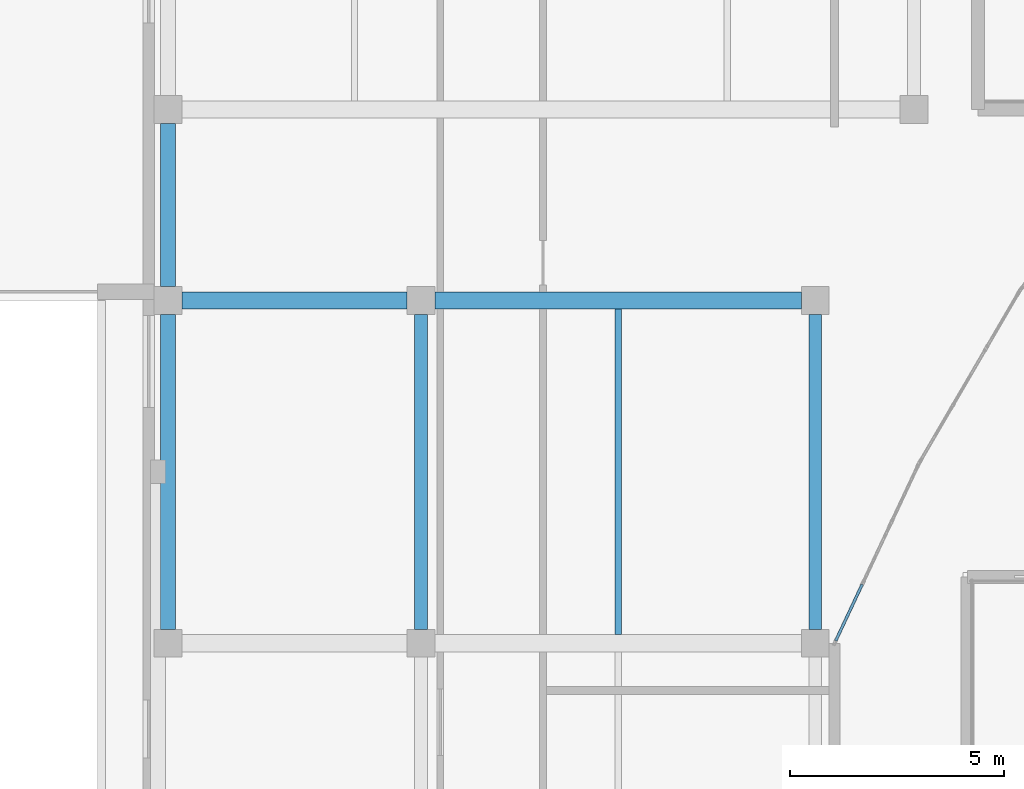
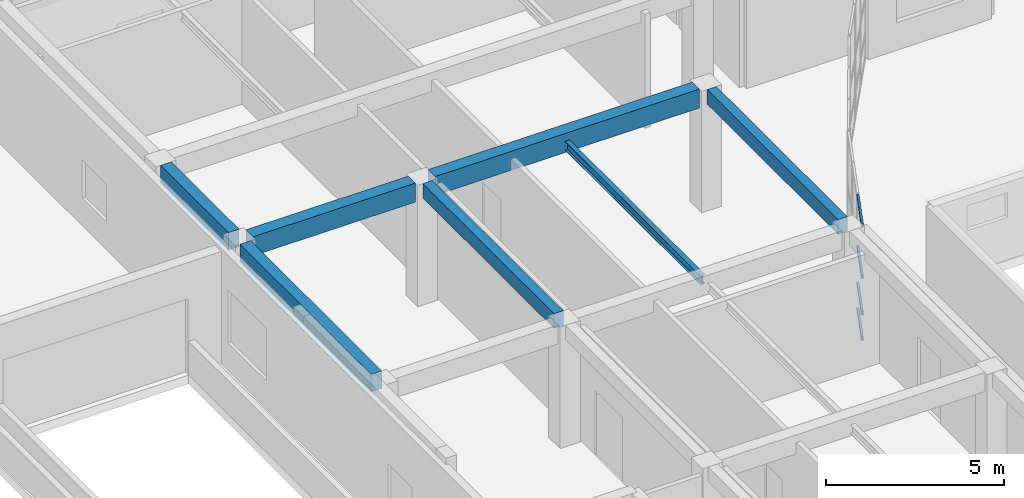
# One storey, part 24 of 114: 7 beams, 4 members, 1 element without a shape of its own.
"""IFC4 building model written with IfcOpenShell, lengths in metres."""

from ifc_helpers import new_model, si_unit, direction, frame, origin, origin_2d, place, context, subcontext, project, spatial, rectangle, hollow_rectangle, i_section, extrude, material, layer, layer_set, material_profile, profile_set, type_object, element, aggregate, save


model = new_model("IFC4")

# Units and contexts
model_context = context("Model", 3, precision=1e-05, world=origin(), true_north=direction((0.0, 1.0)))
body_context = subcontext(model_context, "Body", "Model", "MODEL_VIEW")
ifc_project = project(units=[si_unit("LENGTHUNIT", "METRE"), si_unit("AREAUNIT", "SQUARE_METRE"), si_unit("VOLUMEUNIT", "CUBIC_METRE"), si_unit("PLANEANGLEUNIT", "RADIAN"), si_unit("MASSUNIT", "GRAM", prefix="KILO")], contexts=[model_context])

# Site, building, storey
site_placement = place(None, origin())
site = spatial("IfcSite", under=ifc_project, at=site_placement, CompositionType="ELEMENT")
building_placement = place(site_placement, origin())
building = spatial("IfcBuilding", under=site, at=building_placement, Name="Keldmere Railside Commons", CompositionType="ELEMENT")
storey_placement = place(building_placement, origin())
storey = spatial("IfcBuildingStorey", under=building, at=storey_placement, Name="L00", CompositionType="ELEMENT", Elevation=0.0)

# Beams
ifc_material_1 = material(Name="Steel F-36 (S355)", Category="steel")
ifc_material_profile_1 = material_profile(ifc_material_1, i_section(OverallWidth=0.14990234375, OverallDepth=0.300048828125, WebThickness=0.007080078125, FlangeThickness=0.0107421875, at=origin_2d()), Name="IPE-300")
ifc_profile_set_1 = profile_set([ifc_material_profile_1], Name="Steel F-36 (S355)")
beam_type_1 = type_object("IfcBeamType", Name="Podium & Arcade Steel Joist IPE300", PredefinedType="JOIST", material=ifc_profile_set_1)
beam_1_placement = place(storey_placement, frame((18.949951171875, 88.199951171875, 3.739990234375), z_axis=(0.0, 1.0, 0.0), x_axis=(-1.0, 0.0, 0.0)))
element("IfcBeam", 1, at=beam_1_placement, inside=storey, type_object=beam_type_1, Name="JST-1 BM-L00-0708", PredefinedType="JOIST", context=body_context, shape_type="SweptSolid", body=[
    extrude(i_section(OverallWidth=0.14990234375, OverallDepth=0.300048828125, WebThickness=0.007080078125, FlangeThickness=0.0107421875, at=origin_2d()), origin(), (0.0, 0.0, 1.0), 7.60009765625),
])
ifc_material_2 = material(Name="Concrete H-30 (C30/37)", Category="concrete")
ifc_material_profile_2 = material_profile(ifc_material_2, rectangle(XDim=0.35009765625, YDim=0.60009765625, at=origin_2d()), Name="RC-350x600")
ifc_profile_set_2 = profile_set([ifc_material_profile_2], Name="Concrete H-30 (C30/37)")
beam_type_2 = type_object("IfcBeamType", Name="Residential Chord RC Beam 350x600", PredefinedType="BEAM", material=ifc_profile_set_2)
beam_2_placement = place(storey_placement, frame((8.449951171875, 88.324951171875, 3.860107421875), z_axis=(0.0, 1.0, 0.0), x_axis=(-1.0, 0.0, 0.0)))
element("IfcBeam", 2, at=beam_2_placement, inside=storey, type_object=beam_type_2, Name="BG-4 BM-L00-0552", PredefinedType="BEAM", context=body_context, shape_type="SweptSolid", body=[
    extrude(rectangle(XDim=0.35009765625, YDim=0.60009765625, at=origin_2d()), origin(), (0.0, 0.0, 1.0), 7.35009765625),
])
beam_3_placement = place(storey_placement, frame((8.449951171875, 96.324951171875, 3.860107421875), z_axis=(0.0, 1.0, 0.0), x_axis=(-1.0, 0.0, 0.0)))
element("IfcBeam", 3, at=beam_3_placement, inside=storey, type_object=beam_type_2, Name="BG-4 BM-L00-0553", PredefinedType="BEAM", context=body_context, shape_type="SweptSolid", body=[
    extrude(rectangle(XDim=0.35009765625, YDim=0.60009765625, at=origin_2d()), origin(), (0.0, 0.0, 1.0), 3.800048828125),
])
ifc_material_profile_3 = material_profile(ifc_material_2, rectangle(XDim=0.39990234375, YDim=0.64990234375, at=origin_2d()), Name="RC-400x650")
ifc_profile_set_3 = profile_set([ifc_material_profile_3], Name="Concrete H-30 (C30/37)")
beam_type_3 = type_object("IfcBeamType", Name="Residential Spine RC Girder 400x650", PredefinedType="BEAM", material=ifc_profile_set_3)
beam_4_placement = place(storey_placement, frame((8.77490234375, 96.0, 3.8349609375), z_axis=(1.0, 0.0, 0.0), x_axis=(0.0, 1.0, 0.0)))
element("IfcBeam", 4, at=beam_4_placement, inside=storey, type_object=beam_type_3, Name="BG-3 BM-L00-0491", PredefinedType="BEAM", context=body_context, shape_type="SweptSolid", body=[
    extrude(rectangle(XDim=0.39990234375, YDim=0.64990234375, at=origin_2d()), origin(), (0.0, 0.0, 1.0), 5.25),
])
beam_5_placement = place(storey_placement, frame((14.675048828125, 96.0, 3.8349609375), z_axis=(1.0, 0.0, 0.0), x_axis=(0.0, 1.0, 0.0)))
element("IfcBeam", 5, at=beam_5_placement, inside=storey, type_object=beam_type_3, Name="BG-3 BM-L00-0492", PredefinedType="BEAM", context=body_context, shape_type="SweptSolid", body=[
    extrude(rectangle(XDim=0.39990234375, YDim=0.64990234375, at=origin_2d()), origin(), (0.0, 0.0, 1.0), 8.550048828125),
])
ifc_material_profile_4 = material_profile(ifc_material_2, rectangle(XDim=0.300048828125, YDim=0.5, at=origin_2d()), Name="RC-300x500")
ifc_profile_set_4 = profile_set([ifc_material_profile_4], Name="Concrete H-30 (C30/37)")
beam_type_4 = type_object("IfcBeamType", Name="Secondary Frame RC Beam 300x500", PredefinedType="BEAM", material=ifc_profile_set_4)
for number, where, z_axis, x_axis, name in (
    (6, (14.35009765625, 88.324951171875, 3.909912109375), (0.0, 1.0, 0.0), (-1.0, 0.0, 0.0), "BG-5 BM-L00-0560"),
    (7, (23.550048828125, 88.324951171875, 3.909912109375), (0.0, 1.0, 0.0), (-1.0, 0.0, 0.0), "BG-5 BM-L00-0569"),
):
    element("IfcBeam", number, at=place(storey_placement, frame(where, z_axis=z_axis, x_axis=x_axis)), inside=storey, type_object=beam_type_4, Name=name, PredefinedType="BEAM", context=body_context, shape_type="SweptSolid", body=[
        extrude(rectangle(XDim=0.300048828125, YDim=0.5, at=origin_2d()), origin(), (0.0, 0.0, 1.0), 7.35009765625),
    ])

# Curtain wall, members
ifc_material_3 = material(Name="Thermally Broken Aluminium", Category="aluminium")
ifc_layer = layer(ifc_material_3, 0.159912109375, Name="Residential Ground Entrance Lobby CW 4000x3600")
ifc_layer_set = layer_set([ifc_layer], Name="Thermally Broken Aluminium")
curtain_wall_type = type_object("IfcCurtainWallType", Name="Residential Ground Entrance Lobby CW 4000x3600", PredefinedType="NOTDEFINED", material=ifc_layer_set)
curtain_wall_placement = place(storey_placement, origin())
curtain_wall = element("IfcCurtainWall", 8, at=curtain_wall_placement, inside=storey, type_object=curtain_wall_type, Name="CW-10 CW-L00-001", PredefinedType="NOTDEFINED")
ifc_material_profile_5 = material_profile(ifc_material_3, hollow_rectangle(XDim=0.06494140625, YDim=0.1201171875, WallThickness=0.00390625, at=origin_2d()), Name="ALU-TRAN-65x120")
ifc_profile_set_5 = profile_set([ifc_material_profile_5], Name="Thermally Broken Aluminium")
member_type = type_object("IfcMemberType", Name="Unitised Curtain Wall Transom 65x120", PredefinedType="USERDEFINED", material=ifc_profile_set_5)
member_1_placement = place(storey_placement, frame((24.6435546875, 89.37158203125, 0.032470703125), z_axis=(-0.424783244458, -0.905295087376, 0.0), x_axis=(0.905295087376, -0.424783244458, 0.0)))
member_1 = element("IfcMember", 9, at=member_1_placement, type_object=member_type, Name="CW-10 transom 3.1", ObjectType="TRANSOM", PredefinedType="USERDEFINED", context=body_context, shape_type="SweptSolid", body=[
    extrude(hollow_rectangle(XDim=0.06494140625, YDim=0.1201171875, WallThickness=0.00390625, at=origin_2d()), origin(), (0.0, 0.0, 1.0), 1.449951171875),
])
member_2_placement = place(storey_placement, frame((24.6435546875, 89.37158203125, 0.89990234375), z_axis=(-0.424783244458, -0.905295087376, 0.0), x_axis=(0.905295087376, -0.424783244458, 0.0)))
member_2 = element("IfcMember", 10, at=member_2_placement, type_object=member_type, Name="CW-10 transom 3.2", ObjectType="TRANSOM", PredefinedType="USERDEFINED", context=body_context, shape_type="SweptSolid", body=[
    extrude(hollow_rectangle(XDim=0.06494140625, YDim=0.1201171875, WallThickness=0.00390625, at=origin_2d()), origin(), (0.0, 0.0, 1.0), 1.449951171875),
])
member_3_placement = place(storey_placement, frame((24.6435546875, 89.37158203125, 2.14990234375), z_axis=(-0.424783244458, -0.905295087376, 0.0), x_axis=(0.905295087376, -0.424783244458, 0.0)))
member_3 = element("IfcMember", 11, at=member_3_placement, type_object=member_type, Name="CW-10 transom 3.3", ObjectType="TRANSOM", PredefinedType="USERDEFINED", context=body_context, shape_type="SweptSolid", body=[
    extrude(hollow_rectangle(XDim=0.06494140625, YDim=0.1201171875, WallThickness=0.00390625, at=origin_2d()), origin(), (0.0, 0.0, 1.0), 1.449951171875),
])
member_4_placement = place(storey_placement, frame((24.6435546875, 89.37158203125, 3.907470703125), z_axis=(-0.424783244458, -0.905295087376, 0.0), x_axis=(0.905295087376, -0.424783244458, 0.0)))
member_4 = element("IfcMember", 12, at=member_4_placement, type_object=member_type, Name="CW-10 transom 3.4", ObjectType="TRANSOM", PredefinedType="USERDEFINED", context=body_context, shape_type="SweptSolid", body=[
    extrude(hollow_rectangle(XDim=0.06494140625, YDim=0.1201171875, WallThickness=0.00390625, at=origin_2d()), origin(), (0.0, 0.0, 1.0), 1.449951171875),
])
aggregate(curtain_wall, [member_1, member_2, member_3, member_4])

save(model, "model.ifc")
